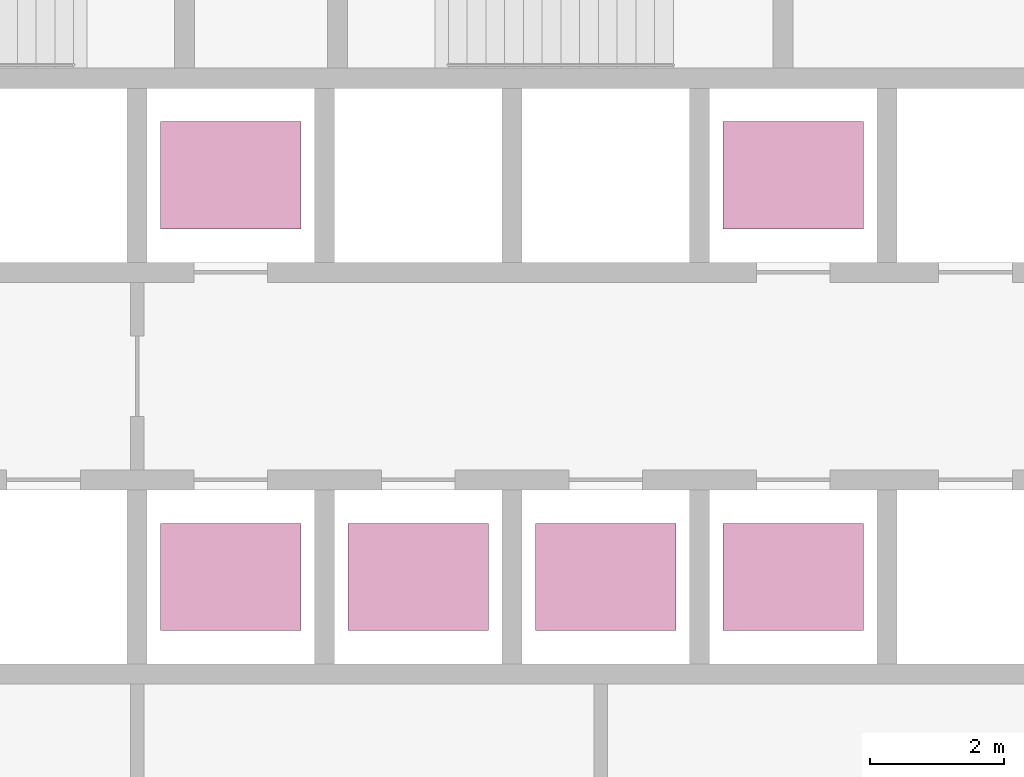
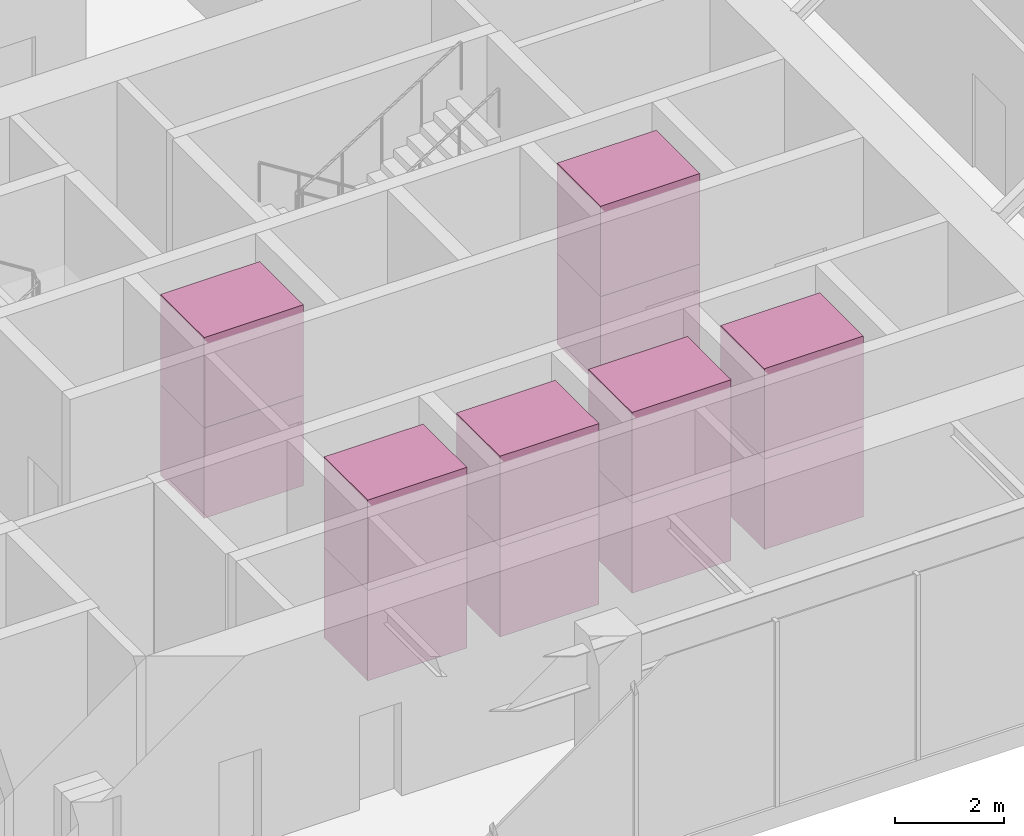
# One storey, part 30 of 30: 12 transport elements.
"""IFC4 building model written with IfcOpenShell, lengths in metres."""

from ifc_helpers import new_model, si_unit, direction, frame, origin, origin_2d, place, context, subcontext, project, spatial, rectangle, extrude, material, type_object, element, save


model = new_model("IFC4")

# Units and contexts
model_context = context("Model", 3, precision=1e-05, world=origin(), true_north=direction((0.0, 1.0)))
body_context = subcontext(model_context, "Body", "Model", "MODEL_VIEW")
ifc_project = project(units=[si_unit("LENGTHUNIT", "METRE"), si_unit("AREAUNIT", "SQUARE_METRE"), si_unit("VOLUMEUNIT", "CUBIC_METRE"), si_unit("PLANEANGLEUNIT", "RADIAN"), si_unit("MASSUNIT", "GRAM", prefix="KILO")], contexts=[model_context])

# Site, building, storey
site_placement = place(None, origin())
site = spatial("IfcSite", under=ifc_project, at=site_placement, CompositionType="ELEMENT")
building_placement = place(site_placement, origin())
building = spatial("IfcBuilding", under=site, at=building_placement, Name="Firuza Gate Tower and Library", CompositionType="ELEMENT")
storey_placement = place(building_placement, frame((0.0, 0.0, 12.60009765625)))
storey = spatial("IfcBuildingStorey", under=building, at=storey_placement, Name="L02", CompositionType="ELEMENT", Elevation=12.60009765625)

# Transport elements
ifc_material = material(Name="Stainless steel and glass", Category="steel")
transport_element_type = type_object("IfcTransportElementType", Name="Low-rise lift car 2100x1600", PredefinedType="ELEVATOR", material=ifc_material)
for number, where, z_axis, x_axis, name in (
    (1, (74.64990234375, 70.300048828125, 0.0), (0.0, 0.0, 1.0), (1.0, 0.0, 0.0), "Low-rise lift LR1"),
    (2, (74.64990234375, 70.300048828125, 2.02490234375), (0.0, 0.0, 1.0), (1.0, 0.0, 0.0), "Low-rise lift LR1"),
    (3, (77.449951171875, 70.300048828125, 0.0), (0.0, 0.0, 1.0), (1.0, 0.0, 0.0), "Low-rise lift LR2"),
    (4, (77.449951171875, 70.300048828125, 2.02490234375), (0.0, 0.0, 1.0), (1.0, 0.0, 0.0), "Low-rise lift LR2"),
    (5, (80.25, 70.300048828125, 0.0), (0.0, 0.0, 1.0), (1.0, 0.0, 0.0), "Low-rise lift LR3"),
    (6, (80.25, 70.300048828125, 2.02490234375), (0.0, 0.0, 1.0), (1.0, 0.0, 0.0), "Low-rise lift LR3"),
    (7, (74.64990234375, 76.300048828125, 0.0), (0.0, 0.0, 1.0), (1.0, 0.0, 0.0), "Low-rise lift LR4"),
    (8, (74.64990234375, 76.300048828125, 2.02490234375), (0.0, 0.0, 1.0), (1.0, 0.0, 0.0), "Low-rise lift LR4"),
    (9, (83.050048828125, 70.300048828125, 0.0), (0.0, 0.0, 1.0), (1.0, 0.0, 0.0), "Low-rise lift LR5"),
    (10, (83.050048828125, 70.300048828125, 2.02490234375), (0.0, 0.0, 1.0), (1.0, 0.0, 0.0), "Low-rise lift LR5"),
    (11, (83.050048828125, 76.300048828125, 0.0), (0.0, 0.0, 1.0), (1.0, 0.0, 0.0), "Low-rise lift LR6"),
    (12, (83.050048828125, 76.300048828125, 2.02490234375), (0.0, 0.0, 1.0), (1.0, 0.0, 0.0), "Low-rise lift LR6"),
):
    element("IfcTransportElement", number, at=place(storey_placement, frame(where, z_axis=z_axis, x_axis=x_axis)), inside=storey, type_object=transport_element_type, Name=name, PredefinedType="ELEVATOR", context=body_context, shape_type="SweptSolid", body=[
        extrude(rectangle(XDim=2.10009765625, YDim=1.60009765625, at=origin_2d()), origin(), (0.0, 0.0, 1.0), 2.02490234375),
    ])

save(model, "model.ifc")
